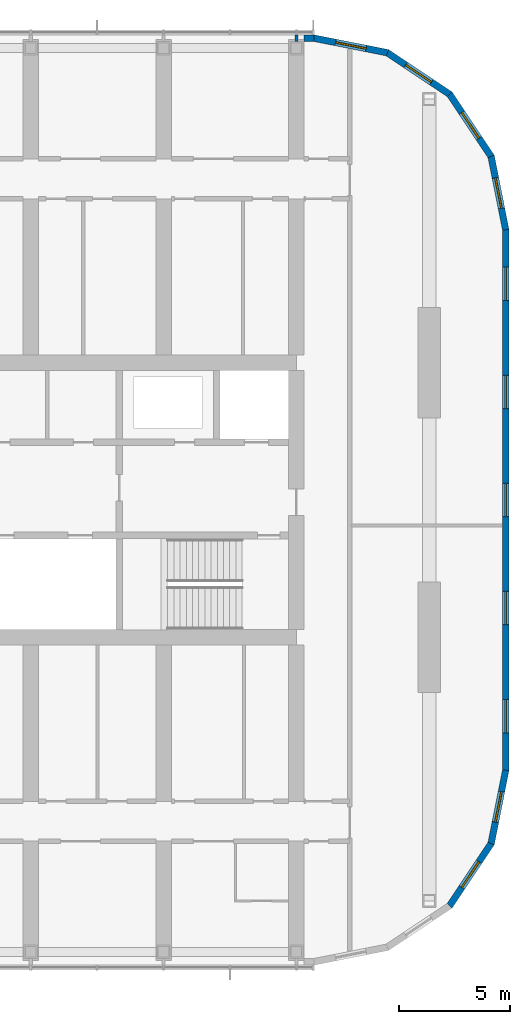
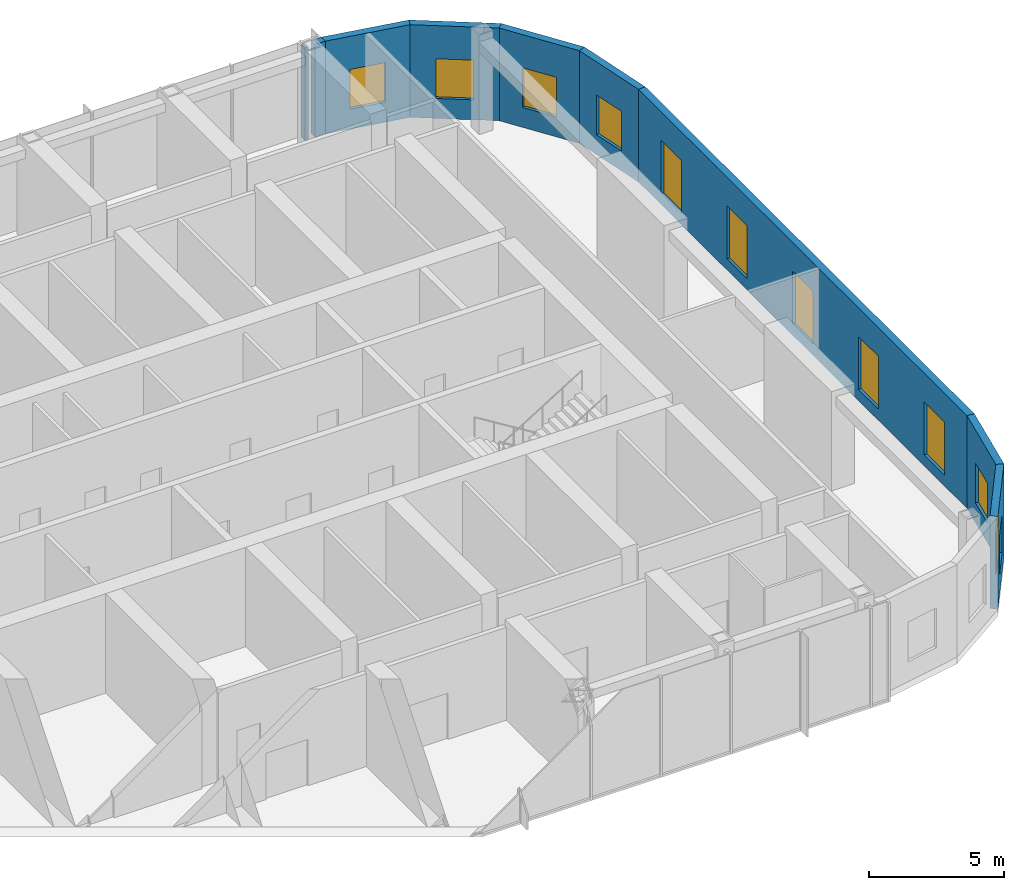
# One storey, part 16 of 21: 11 windows, 9 walls, 11 openings.
"""IFC4 building model written with IfcOpenShell, lengths in metres."""

from ifc_helpers import new_model, si_unit, direction, frame, frame_2d, origin, place, context, subcontext, project, spatial, polyline, rectangle, outline, extrude, material, layer, layer_set, type_object, element, fill, save


model = new_model("IFC4")

# Units and contexts
model_context = context("Model", 3, precision=1e-05, world=origin(), true_north=direction((0.0, 1.0)))
body_context = subcontext(model_context, "Body", "Model", "MODEL_VIEW")
ifc_project = project(units=[si_unit("LENGTHUNIT", "METRE"), si_unit("AREAUNIT", "SQUARE_METRE"), si_unit("VOLUMEUNIT", "CUBIC_METRE"), si_unit("PLANEANGLEUNIT", "RADIAN"), si_unit("MASSUNIT", "GRAM", prefix="KILO")], contexts=[model_context])

# Site, building, storey
site_placement = place(None, origin())
site = spatial("IfcSite", under=ifc_project, at=site_placement, CompositionType="ELEMENT")
building_placement = place(site_placement, origin())
building = spatial("IfcBuilding", under=site, at=building_placement, Name="Orbita Commons", CompositionType="ELEMENT")
storey_placement = place(building_placement, frame((0.0, 0.0, 257.800048828125)))
storey = spatial("IfcBuildingStorey", under=building, at=storey_placement, Name="L64", CompositionType="ELEMENT", Elevation=257.800048828125)

# Wall
ifc_material_1 = material(Name="Gypsum plasterboard on steel studs", Category="steel")
ifc_layer_1 = layer(ifc_material_1, 0.14990234375)
ifc_layer_set_1 = layer_set([ifc_layer_1], Name="Gypsum plasterboard on steel studs")
wall_type_1 = type_object("IfcWallType", Name="Partition 150 plasterboard", PredefinedType="PARTITIONING", material=ifc_layer_set_1)
wall_1_placement = place(storey_placement, frame((66.0, 52.699951171875, 0.0), z_axis=(0.0, 0.0, 1.0), x_axis=(0.0, 1.0, 0.0)))
element("IfcWall", 1, at=wall_1_placement, inside=storey, type_object=wall_type_1, Name="Partition 150 plasterboard L64", PredefinedType="PARTITIONING", context=body_context, shape_type="SweptSolid", body=[
    extrude(rectangle(XDim=0.2900390625, YDim=0.14990234375, at=frame_2d((0.14501953125, 0.0))), origin(), (0.0, 0.0, 1.0), 4.199951171875),
])

# Wall, openings, windows
ifc_material_2 = material(Name="Precast concrete C40/50, white board-marked finish", Category="concrete")
ifc_layer_2 = layer(ifc_material_2, 0.300048828125)
ifc_layer_set_2 = layer_set([ifc_layer_2], Name="Precast concrete C40/50, white board-marked finish")
wall_type_2 = type_object("IfcWallType", Name="Precast concrete end shield 300", PredefinedType="SOLIDWALL", material=ifc_layer_set_2)
wall_2_placement = place(storey_placement, frame((75.449951171875, 19.800048828125, 0.0), z_axis=(0.0, 0.0, 1.0), x_axis=(0.0, 1.0, 0.0)))
wall_2 = element("IfcWall", 2, at=wall_2_placement, inside=storey, type_object=wall_type_2, Name="End shield E L64", PredefinedType="SOLIDWALL", context=body_context, shape_type="SweptSolid", body=[
    extrude(outline(polyline([(-0.014892578125, -0.14990234375), (24.414794921875, -0.14990234375), (24.385009765625, 0.14990234375), (0.014892578125, 0.14990234375), (-0.014892578125, -0.14990234375)])), origin(), (0.0, 0.0, 1.0), 4.199951171875),
])
opening_1_placement = place(wall_2_placement, frame((1.68994140625, 0.0, 0.5)))
opening_1 = element("IfcOpeningElement", 3, at=opening_1_placement, cuts=wall_2, Name="Opening W03", PredefinedType="OPENING", context=body_context, shape_type="SweptSolid", body=[
    extrude(rectangle(XDim=1.5, YDim=2.39990234375, at=frame_2d((0.75, 1.199951171875))), frame((0.0, 0.159912109375, 0.0), z_axis=(0.0, -1.0, 0.0), x_axis=(1.0, 0.0, 0.0)), (0.0, 0.0, 1.0), 0.320068359375),
])
opening_2_placement = place(wall_2_placement, frame((6.570068359375, 0.0, 0.5)))
opening_2 = element("IfcOpeningElement", 4, at=opening_2_placement, cuts=wall_2, Name="Opening W03", PredefinedType="OPENING", context=body_context, shape_type="SweptSolid", body=[
    extrude(rectangle(XDim=1.5, YDim=2.39990234375, at=frame_2d((0.75, 1.199951171875))), frame((0.0, 0.159912109375, 0.0), z_axis=(0.0, -1.0, 0.0), x_axis=(1.0, 0.0, 0.0)), (0.0, 0.0, 1.0), 0.320068359375),
])
opening_3_placement = place(wall_2_placement, frame((11.449951171875, 0.0, 0.5)))
opening_3 = element("IfcOpeningElement", 5, at=opening_3_placement, cuts=wall_2, Name="Opening W03", PredefinedType="OPENING", context=body_context, shape_type="SweptSolid", body=[
    extrude(rectangle(XDim=1.5, YDim=2.39990234375, at=frame_2d((0.75, 1.199951171875))), frame((0.0, 0.159912109375, 0.0), z_axis=(0.0, -1.0, 0.0), x_axis=(1.0, 0.0, 0.0)), (0.0, 0.0, 1.0), 0.320068359375),
])
opening_4_placement = place(wall_2_placement, frame((16.330078125, 0.0, 0.5)))
opening_4 = element("IfcOpeningElement", 6, at=opening_4_placement, cuts=wall_2, Name="Opening W03", PredefinedType="OPENING", context=body_context, shape_type="SweptSolid", body=[
    extrude(rectangle(XDim=1.5, YDim=2.39990234375, at=frame_2d((0.75, 1.199951171875))), frame((0.0, 0.159912109375, 0.0), z_axis=(0.0, -1.0, 0.0), x_axis=(1.0, 0.0, 0.0)), (0.0, 0.0, 1.0), 0.320068359375),
])
opening_5_placement = place(wall_2_placement, frame((21.2099609375, 0.0, 0.5)))
opening_5 = element("IfcOpeningElement", 7, at=opening_5_placement, cuts=wall_2, Name="Opening W03", PredefinedType="OPENING", context=body_context, shape_type="SweptSolid", body=[
    extrude(rectangle(XDim=1.5, YDim=2.39990234375, at=frame_2d((0.75, 1.199951171875))), frame((0.0, 0.159912109375, 0.0), z_axis=(0.0, -1.0, 0.0), x_axis=(1.0, 0.0, 0.0)), (0.0, 0.0, 1.0), 0.320068359375),
])
ifc_material_3 = material(Name="Aluminium frame, clear double glazing", Category="aluminium")
window_type_1 = type_object("IfcWindowType", Name="Deep-set window 1500x2400", PartitioningType="SINGLE_PANEL", PredefinedType="WINDOW", material=ifc_material_3)
window_1_placement = place(opening_1_placement, origin())
window_1 = element("IfcWindow", 8, at=window_1_placement, inside=storey, type_object=window_type_1, Name="Window L64-E 1", OverallHeight=2.39990234375, OverallWidth=1.5, PartitioningType="SINGLE_PANEL", PredefinedType="WINDOW", context=body_context, shape_type="SweptSolid", body=[
    extrude(rectangle(XDim=1.5, YDim=2.39990234375, at=frame_2d((0.75, 1.199951171875))), frame((0.0, 0.030029296875, 0.0), z_axis=(0.0, -1.0, 0.0), x_axis=(1.0, 0.0, 0.0)), (0.0, 0.0, 1.0), 0.06005859375),
])
fill(opening_1, window_1)
window_2_placement = place(opening_2_placement, origin())
window_2 = element("IfcWindow", 9, at=window_2_placement, inside=storey, type_object=window_type_1, Name="Window L64-E 2", OverallHeight=2.39990234375, OverallWidth=1.5, PartitioningType="SINGLE_PANEL", PredefinedType="WINDOW", context=body_context, shape_type="SweptSolid", body=[
    extrude(rectangle(XDim=1.5, YDim=2.39990234375, at=frame_2d((0.75, 1.199951171875))), frame((0.0, 0.030029296875, 0.0), z_axis=(0.0, -1.0, 0.0), x_axis=(1.0, 0.0, 0.0)), (0.0, 0.0, 1.0), 0.06005859375),
])
fill(opening_2, window_2)
window_3_placement = place(opening_3_placement, origin())
window_3 = element("IfcWindow", 10, at=window_3_placement, inside=storey, type_object=window_type_1, Name="Window L64-E 3", OverallHeight=2.39990234375, OverallWidth=1.5, PartitioningType="SINGLE_PANEL", PredefinedType="WINDOW", context=body_context, shape_type="SweptSolid", body=[
    extrude(rectangle(XDim=1.5, YDim=2.39990234375, at=frame_2d((0.75, 1.199951171875))), frame((0.0, 0.030029296875, 0.0), z_axis=(0.0, -1.0, 0.0), x_axis=(1.0, 0.0, 0.0)), (0.0, 0.0, 1.0), 0.06005859375),
])
fill(opening_3, window_3)
window_4_placement = place(opening_4_placement, origin())
window_4 = element("IfcWindow", 11, at=window_4_placement, inside=storey, type_object=window_type_1, Name="Window L64-E 4", OverallHeight=2.39990234375, OverallWidth=1.5, PartitioningType="SINGLE_PANEL", PredefinedType="WINDOW", context=body_context, shape_type="SweptSolid", body=[
    extrude(rectangle(XDim=1.5, YDim=2.39990234375, at=frame_2d((0.75, 1.199951171875))), frame((0.0, 0.030029296875, 0.0), z_axis=(0.0, -1.0, 0.0), x_axis=(1.0, 0.0, 0.0)), (0.0, 0.0, 1.0), 0.06005859375),
])
fill(opening_4, window_4)
window_5_placement = place(opening_5_placement, origin())
window_5 = element("IfcWindow", 12, at=window_5_placement, inside=storey, type_object=window_type_1, Name="Window L64-E 5", OverallHeight=2.39990234375, OverallWidth=1.5, PartitioningType="SINGLE_PANEL", PredefinedType="WINDOW", context=body_context, shape_type="SweptSolid", body=[
    extrude(rectangle(XDim=1.5, YDim=2.39990234375, at=frame_2d((0.75, 1.199951171875))), frame((0.0, 0.030029296875, 0.0), z_axis=(0.0, -1.0, 0.0), x_axis=(1.0, 0.0, 0.0)), (0.0, 0.0, 1.0), 0.06005859375),
])
fill(opening_5, window_5)

# Wall, opening, window
wall_3_placement = place(storey_placement, frame((72.91650390625, 13.68359375, 0.0), z_axis=(0.0, 0.0, 1.0), x_axis=(0.555567969291, 0.831471124873, 0.0)))
wall_3 = element("IfcWall", 13, at=wall_3_placement, inside=storey, type_object=wall_type_2, Name="End shield SE chord 3 L64", PredefinedType="SOLIDWALL", context=body_context, shape_type="SweptSolid", body=[
    extrude(outline(polyline([(-0.02978515625, -0.14990234375), (3.40478515625, -0.14990234375), (3.34521484375, 0.14990234375), (0.02978515625, 0.14990234375), (-0.02978515625, -0.14990234375)])), origin(), (0.0, 0.0, 1.0), 4.199951171875),
])
opening_6_placement = place(wall_3_placement, frame((0.987548828125, 0.0, 0.89990234375)))
opening_6 = element("IfcOpeningElement", 14, at=opening_6_placement, cuts=wall_3, Name="Opening W02", PredefinedType="OPENING", context=body_context, shape_type="SweptSolid", body=[
    extrude(rectangle(XDim=1.39990234375, YDim=1.800048828125, at=frame_2d((0.699951171875, 0.89990234375))), frame((0.0, 0.159912109375, 0.0), z_axis=(0.0, -1.0, 0.0), x_axis=(1.0, 0.0, 0.0)), (0.0, 0.0, 1.0), 0.320068359375),
])
ifc_material_4 = material(Name="Aluminium frame, clear double glazing", Category="aluminium")
window_type_2 = type_object("IfcWindowType", Name="Deep-set window 1400x1800", PartitioningType="SINGLE_PANEL", PredefinedType="WINDOW", material=ifc_material_4)
window_6_placement = place(opening_6_placement, origin())
window_6 = element("IfcWindow", 15, at=window_6_placement, inside=storey, type_object=window_type_2, Name="Window L64-SE2", OverallHeight=1.800048828125, OverallWidth=1.39990234375, PartitioningType="SINGLE_PANEL", PredefinedType="WINDOW", context=body_context, shape_type="SweptSolid", body=[
    extrude(rectangle(XDim=1.39990234375, YDim=1.800048828125, at=frame_2d((0.699951171875, 0.89990234375))), frame((0.0, 0.030029296875, 0.0), z_axis=(0.0, -1.0, 0.0), x_axis=(1.0, 0.0, 0.0)), (0.0, 0.0, 1.0), 0.06005859375),
])
fill(opening_6, window_6)

wall_4_placement = place(storey_placement, frame((74.79150390625, 16.48974609375, 0.0), z_axis=(0.0, 0.0, 1.0), x_axis=(0.19508664885, 0.980786011034, 0.0)))
wall_4 = element("IfcWall", 16, at=wall_4_placement, inside=storey, type_object=wall_type_2, Name="End shield SE chord 4 L64", PredefinedType="SOLIDWALL", context=body_context, shape_type="SweptSolid", body=[
    extrude(outline(polyline([(-0.02978515625, -0.14990234375), (3.39013671875, -0.14990234375), (3.3603515625, 0.14990234375), (0.02978515625, 0.14990234375), (-0.02978515625, -0.14990234375)])), origin(), (0.0, 0.0, 1.0), 4.199951171875),
])
opening_7_placement = place(wall_4_placement, frame((0.987548828125, 0.0, 0.89990234375)))
opening_7 = element("IfcOpeningElement", 17, at=opening_7_placement, cuts=wall_4, Name="Opening W02", PredefinedType="OPENING", context=body_context, shape_type="SweptSolid", body=[
    extrude(rectangle(XDim=1.39990234375, YDim=1.800048828125, at=frame_2d((0.699951171875, 0.89990234375))), frame((0.0, 0.159912109375, 0.0), z_axis=(0.0, -1.0, 0.0), x_axis=(1.0, 0.0, 0.0)), (0.0, 0.0, 1.0), 0.320068359375),
])
window_7_placement = place(opening_7_placement, origin())
window_7 = element("IfcWindow", 18, at=window_7_placement, inside=storey, type_object=window_type_2, Name="Window L64-SE3", OverallHeight=1.800048828125, OverallWidth=1.39990234375, PartitioningType="SINGLE_PANEL", PredefinedType="WINDOW", context=body_context, shape_type="SweptSolid", body=[
    extrude(rectangle(XDim=1.39990234375, YDim=1.800048828125, at=frame_2d((0.699951171875, 0.89990234375))), frame((0.0, 0.030029296875, 0.0), z_axis=(0.0, -1.0, 0.0), x_axis=(1.0, 0.0, 0.0)), (0.0, 0.0, 1.0), 0.06005859375),
])
fill(opening_7, window_7)

wall_5_placement = place(storey_placement, frame((75.449951171875, 44.199951171875, 0.0), z_axis=(0.0, 0.0, 1.0), x_axis=(-0.19508664885, 0.980786011034, 0.0)))
wall_5 = element("IfcWall", 19, at=wall_5_placement, inside=storey, type_object=wall_type_2, Name="End shield NE chord 1 L64", PredefinedType="SOLIDWALL", context=body_context, shape_type="SweptSolid", body=[
    extrude(outline(polyline([(-0.014892578125, -0.14990234375), (3.405029296875, -0.14990234375), (3.345458984375, 0.14990234375), (0.014892578125, 0.14990234375), (-0.014892578125, -0.14990234375)])), origin(), (0.0, 0.0, 1.0), 4.199951171875),
])
opening_8_placement = place(wall_5_placement, frame((0.987548828125, 0.0, 0.89990234375)))
opening_8 = element("IfcOpeningElement", 20, at=opening_8_placement, cuts=wall_5, Name="Opening W02", PredefinedType="OPENING", context=body_context, shape_type="SweptSolid", body=[
    extrude(rectangle(XDim=1.39990234375, YDim=1.800048828125, at=frame_2d((0.699951171875, 0.89990234375))), frame((0.0, 0.159912109375, 0.0), z_axis=(0.0, -1.0, 0.0), x_axis=(1.0, 0.0, 0.0)), (0.0, 0.0, 1.0), 0.320068359375),
])
window_8_placement = place(opening_8_placement, origin())
window_8 = element("IfcWindow", 21, at=window_8_placement, inside=storey, type_object=window_type_2, Name="Window L64-NE0", OverallHeight=1.800048828125, OverallWidth=1.39990234375, PartitioningType="SINGLE_PANEL", PredefinedType="WINDOW", context=body_context, shape_type="SweptSolid", body=[
    extrude(rectangle(XDim=1.39990234375, YDim=1.800048828125, at=frame_2d((0.699951171875, 0.89990234375))), frame((0.0, 0.030029296875, 0.0), z_axis=(0.0, -1.0, 0.0), x_axis=(1.0, 0.0, 0.0)), (0.0, 0.0, 1.0), 0.06005859375),
])
fill(opening_8, window_8)

wall_6_placement = place(storey_placement, frame((74.79150390625, 47.51025390625, 0.0), z_axis=(0.0, 0.0, 1.0), x_axis=(-0.555567969291, 0.831471124873, 0.0)))
wall_6 = element("IfcWall", 22, at=wall_6_placement, inside=storey, type_object=wall_type_2, Name="End shield NE chord 2 L64", PredefinedType="SOLIDWALL", context=body_context, shape_type="SweptSolid", body=[
    extrude(outline(polyline([(-0.02978515625, -0.14990234375), (3.40478515625, -0.14990234375), (3.34521484375, 0.14990234375), (0.02978515625, 0.14990234375), (-0.02978515625, -0.14990234375)])), origin(), (0.0, 0.0, 1.0), 4.199951171875),
])
opening_9_placement = place(wall_6_placement, frame((0.987548828125, 0.0, 0.89990234375)))
opening_9 = element("IfcOpeningElement", 23, at=opening_9_placement, cuts=wall_6, Name="Opening W02", PredefinedType="OPENING", context=body_context, shape_type="SweptSolid", body=[
    extrude(rectangle(XDim=1.39990234375, YDim=1.800048828125, at=frame_2d((0.699951171875, 0.89990234375))), frame((0.0, 0.159912109375, 0.0), z_axis=(0.0, -1.0, 0.0), x_axis=(1.0, 0.0, 0.0)), (0.0, 0.0, 1.0), 0.320068359375),
])
window_9_placement = place(opening_9_placement, origin())
window_9 = element("IfcWindow", 24, at=window_9_placement, inside=storey, type_object=window_type_2, Name="Window L64-NE1", OverallHeight=1.800048828125, OverallWidth=1.39990234375, PartitioningType="SINGLE_PANEL", PredefinedType="WINDOW", context=body_context, shape_type="SweptSolid", body=[
    extrude(rectangle(XDim=1.39990234375, YDim=1.800048828125, at=frame_2d((0.699951171875, 0.89990234375))), frame((0.0, 0.030029296875, 0.0), z_axis=(0.0, -1.0, 0.0), x_axis=(1.0, 0.0, 0.0)), (0.0, 0.0, 1.0), 0.06005859375),
])
fill(opening_9, window_9)

wall_7_placement = place(storey_placement, frame((72.91650390625, 50.31640625, 0.0), z_axis=(0.0, 0.0, 1.0), x_axis=(-0.831460037396, 0.555584562613, 0.0)))
wall_7 = element("IfcWall", 25, at=wall_7_placement, inside=storey, type_object=wall_type_2, Name="End shield NE chord 3 L64", PredefinedType="SOLIDWALL", context=body_context, shape_type="SweptSolid", body=[
    extrude(outline(polyline([(-0.02978515625, -0.14990234375), (3.405029296875, -0.14990234375), (3.345458984375, 0.14990234375), (0.02978515625, 0.14990234375), (-0.02978515625, -0.14990234375)])), origin(), (0.0, 0.0, 1.0), 4.199951171875),
])
opening_10_placement = place(wall_7_placement, frame((0.987548828125, 0.0, 0.89990234375)))
opening_10 = element("IfcOpeningElement", 26, at=opening_10_placement, cuts=wall_7, Name="Opening W02", PredefinedType="OPENING", context=body_context, shape_type="SweptSolid", body=[
    extrude(rectangle(XDim=1.39990234375, YDim=1.800048828125, at=frame_2d((0.699951171875, 0.89990234375))), frame((0.0, 0.159912109375, 0.0), z_axis=(0.0, -1.0, 0.0), x_axis=(1.0, 0.0, 0.0)), (0.0, 0.0, 1.0), 0.320068359375),
])
window_10_placement = place(opening_10_placement, origin())
window_10 = element("IfcWindow", 27, at=window_10_placement, inside=storey, type_object=window_type_2, Name="Window L64-NE2", OverallHeight=1.800048828125, OverallWidth=1.39990234375, PartitioningType="SINGLE_PANEL", PredefinedType="WINDOW", context=body_context, shape_type="SweptSolid", body=[
    extrude(rectangle(XDim=1.39990234375, YDim=1.800048828125, at=frame_2d((0.699951171875, 0.89990234375))), frame((0.0, 0.030029296875, 0.0), z_axis=(0.0, -1.0, 0.0), x_axis=(1.0, 0.0, 0.0)), (0.0, 0.0, 1.0), 0.06005859375),
])
fill(opening_10, window_10)

wall_8_placement = place(storey_placement, frame((70.110107421875, 52.191650390625, 0.0), z_axis=(0.0, 0.0, 1.0), x_axis=(-0.98078325777, 0.195100490205, 0.0)))
wall_8 = element("IfcWall", 28, at=wall_8_placement, inside=storey, type_object=wall_type_2, Name="End shield NE chord 4 L64", PredefinedType="SOLIDWALL", context=body_context, shape_type="SweptSolid", body=[
    extrude(outline(polyline([(-0.02978515625, -0.14990234375), (3.40478515625, -0.14990234375), (3.34521484375, 0.14990234375), (0.02978515625, 0.14990234375), (-0.02978515625, -0.14990234375)])), origin(), (0.0, 0.0, 1.0), 4.199951171875),
])
opening_11_placement = place(wall_8_placement, frame((0.987548828125, 0.0, 0.89990234375)))
opening_11 = element("IfcOpeningElement", 29, at=opening_11_placement, cuts=wall_8, Name="Opening W02", PredefinedType="OPENING", context=body_context, shape_type="SweptSolid", body=[
    extrude(rectangle(XDim=1.39990234375, YDim=1.800048828125, at=frame_2d((0.699951171875, 0.89990234375))), frame((0.0, 0.159912109375, 0.0), z_axis=(0.0, -1.0, 0.0), x_axis=(1.0, 0.0, 0.0)), (0.0, 0.0, 1.0), 0.320068359375),
])
window_11_placement = place(opening_11_placement, origin())
window_11 = element("IfcWindow", 30, at=window_11_placement, inside=storey, type_object=window_type_2, Name="Window L64-NE3", OverallHeight=1.800048828125, OverallWidth=1.39990234375, PartitioningType="SINGLE_PANEL", PredefinedType="WINDOW", context=body_context, shape_type="SweptSolid", body=[
    extrude(rectangle(XDim=1.39990234375, YDim=1.800048828125, at=frame_2d((0.699951171875, 0.89990234375))), frame((0.0, 0.030029296875, 0.0), z_axis=(0.0, -1.0, 0.0), x_axis=(1.0, 0.0, 0.0)), (0.0, 0.0, 1.0), 0.06005859375),
])
fill(opening_11, window_11)

# Wall
wall_9_placement = place(storey_placement, frame((66.800048828125, 52.85009765625, 0.0), z_axis=(0.0, 0.0, 1.0), x_axis=(-1.0, 0.0, 0.0)))
element("IfcWall", 31, at=wall_9_placement, inside=storey, type_object=wall_type_2, Name="End shield NE closer L64", PredefinedType="SOLIDWALL", context=body_context, shape_type="SweptSolid", body=[
    extrude(rectangle(XDim=0.449951171875, YDim=0.300048828125, at=frame_2d((0.22509765625, 0.0))), origin(), (0.0, 0.0, 1.0), 4.199951171875),
])

save(model, "model.ifc")
